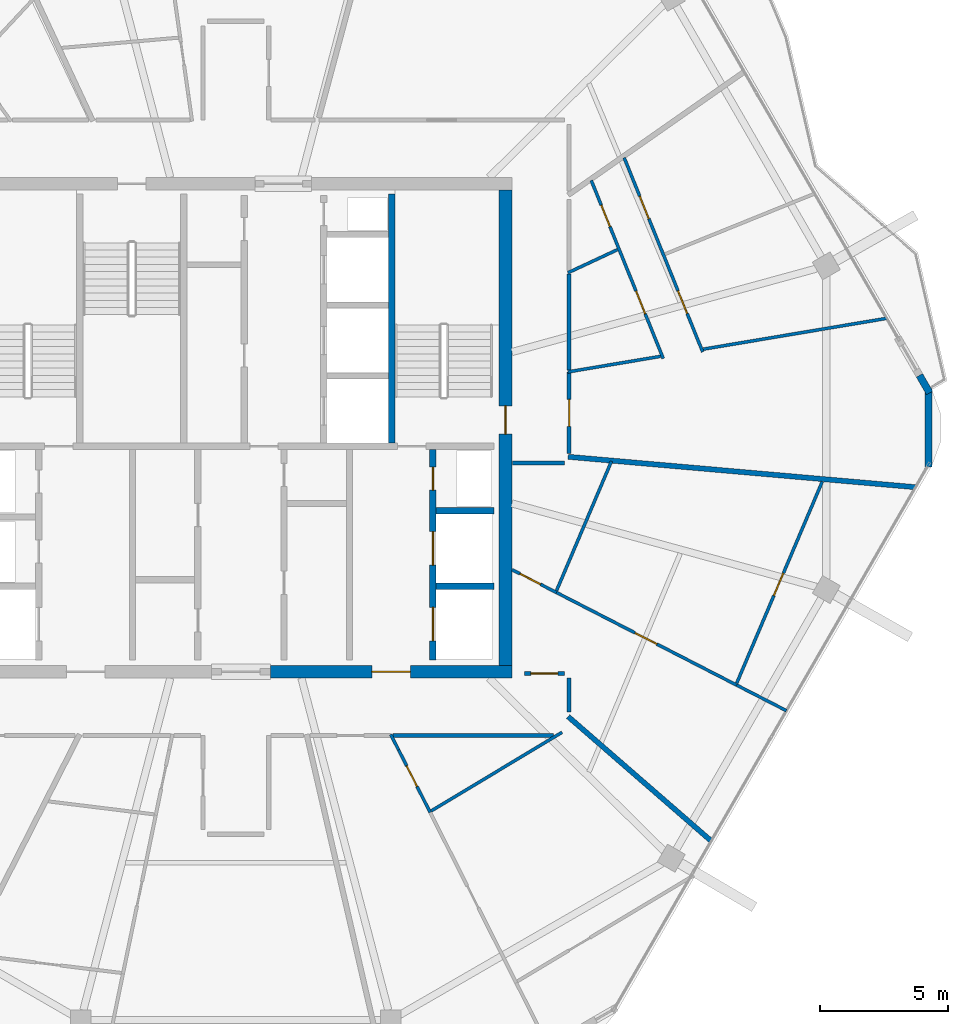
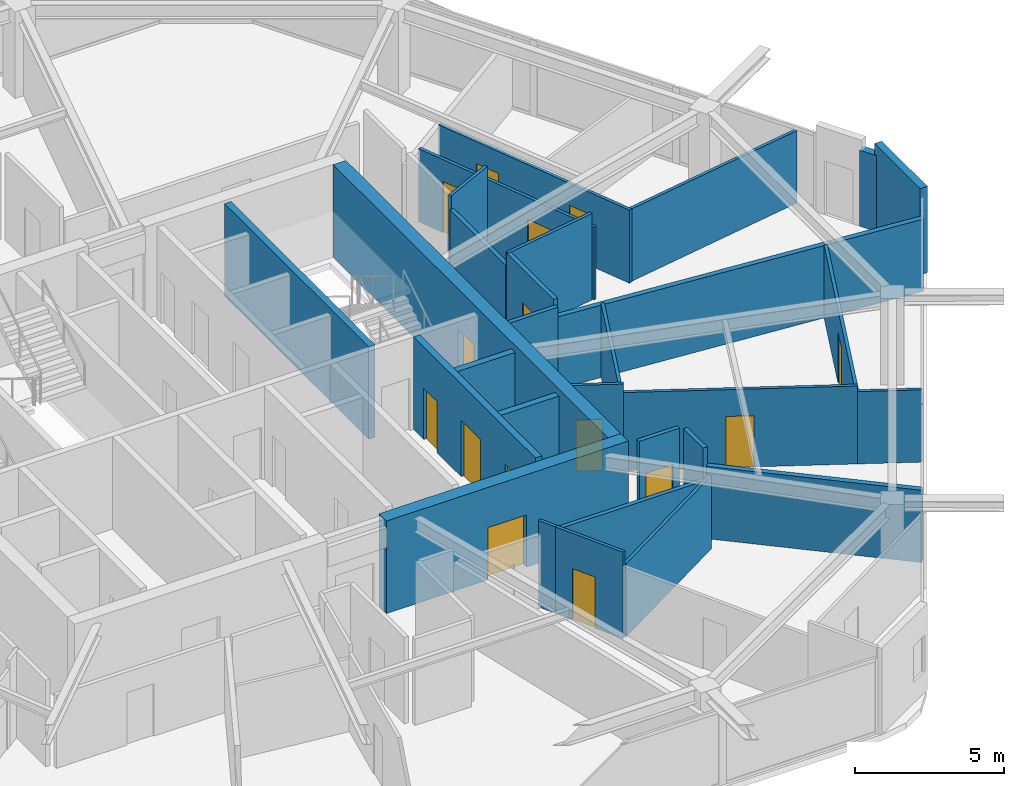
# One storey, part 16 of 21: 29 walls, 15 doors, 15 openings.
"""IFC4 building model written with IfcOpenShell, lengths in metres."""

from ifc_helpers import new_model, si_unit, direction, frame, frame_2d, origin, place, context, subcontext, project, spatial, rectangle, extrude, material, layer, layer_set, type_object, element, fill, save


model = new_model("IFC4")

# Units and contexts
model_context = context("Model", 3, precision=1e-05, world=origin(), true_north=direction((0.0, 1.0)))
body_context = subcontext(model_context, "Body", "Model", "MODEL_VIEW")
ifc_project = project(units=[si_unit("LENGTHUNIT", "METRE"), si_unit("AREAUNIT", "SQUARE_METRE"), si_unit("VOLUMEUNIT", "CUBIC_METRE"), si_unit("PLANEANGLEUNIT", "RADIAN"), si_unit("MASSUNIT", "GRAM", prefix="KILO")], contexts=[model_context])

# Site, building, storey
site_placement = place(None, origin())
site = spatial("IfcSite", under=ifc_project, at=site_placement, CompositionType="ELEMENT")
building_placement = place(site_placement, origin())
building = spatial("IfcBuilding", under=site, at=building_placement, Name="Zuhravey Tower", CompositionType="ELEMENT")
storey_placement = place(building_placement, frame((0.0, 0.0, 319.60009765625)))
storey = spatial("IfcBuildingStorey", under=building, at=storey_placement, Name="L81", CompositionType="ELEMENT", Elevation=319.60009765625)

# Wall, opening, door
ifc_material_1 = material(Name="Concrete C50/60", Category="concrete")
ifc_layer_1 = layer(ifc_material_1, 0.5)
ifc_layer_set_1 = layer_set([ifc_layer_1], Name="Concrete C50/60")
wall_type_1 = type_object("IfcWallType", Name="Core Shear Wall 500", PredefinedType="SHEAR", material=ifc_layer_set_1)
wall_1_placement = place(storey_placement, frame((37.35009765625, 22.5, 0.0), z_axis=(0.0, 0.0, 1.0), x_axis=(1.0, 0.0, 0.0)))
wall_1 = element("IfcWall", 1, at=wall_1_placement, inside=storey, type_object=wall_type_1, Name="L81 South-East Core Shear Wall CW50", PredefinedType="SHEAR", context=body_context, shape_type="SweptSolid", body=[
    extrude(rectangle(XDim=9.39990234375, YDim=0.5, at=frame_2d((4.699951171875, 0.0))), origin(), (0.0, 0.0, 1.0), 3.7998046875),
])
opening_1_placement = place(wall_1_placement, frame((3.949951171875, 0.0, 0.0)))
opening_1 = element("IfcOpeningElement", 2, at=opening_1_placement, cuts=wall_1, Name="Opening FFD1", PredefinedType="OPENING", context=body_context, shape_type="SweptSolid", body=[
    extrude(rectangle(XDim=1.5, YDim=2.14990234375, at=frame_2d((0.75, 1.074951171875))), frame((0.0, 0.261962890625, 0.0), z_axis=(0.0, -1.0, 0.0), x_axis=(1.0, 0.0, 0.0)), (0.0, 0.0, 1.0), 0.52392578125),
])
ifc_material_2 = material(Name="Galvanised fire-rated steel leaf", Category="steel")
door_type_1 = type_object("IfcDoorType", Name="Firefighting Lobby Double Door 1500x2150", OperationType="DOUBLE_DOOR_SINGLE_SWING", PredefinedType="DOOR", material=ifc_material_2)
door_1_placement = place(opening_1_placement, origin())
door_1 = element("IfcDoor", 3, at=door_1_placement, inside=storey, type_object=door_type_1, Name="L81 Firefighting Lobby East Door", OperationType="DOUBLE_DOOR_SINGLE_SWING", OverallHeight=2.14990234375, OverallWidth=1.5, PredefinedType="DOOR", context=body_context, shape_type="SweptSolid", body=[
    extrude(rectangle(XDim=1.5, YDim=2.14990234375, at=frame_2d((0.75, 1.074951171875))), frame((0.0, 0.02490234375, 0.0), z_axis=(0.0, -1.0, 0.0), x_axis=(1.0, 0.0, 0.0)), (0.0, 0.0, 1.0), 0.050048828125),
])
fill(opening_1, door_1)

wall_2_placement = place(storey_placement, frame((46.5, 22.75, 0.0), z_axis=(0.0, 0.0, 1.0), x_axis=(0.0, 1.0, 0.0)))
wall_2 = element("IfcWall", 4, at=wall_2_placement, inside=storey, type_object=wall_type_1, Name="L81 East Core Shear Wall CW50", PredefinedType="SHEAR", context=body_context, shape_type="SweptSolid", body=[
    extrude(rectangle(XDim=18.5, YDim=0.5, at=frame_2d((9.25, 0.0))), origin(), (0.0, 0.0, 1.0), 3.7998046875),
])
opening_2_placement = place(wall_2_placement, frame((9.0, 0.0, 0.0)))
opening_2 = element("IfcOpeningElement", 5, at=opening_2_placement, cuts=wall_2, Name="Opening STD1", PredefinedType="OPENING", context=body_context, shape_type="SweptSolid", body=[
    extrude(rectangle(XDim=1.10009765625, YDim=2.14990234375, at=frame_2d((0.550048828125, 1.074951171875))), frame((0.0, 0.261962890625, 0.0), z_axis=(0.0, -1.0, 0.0), x_axis=(1.0, 0.0, 0.0)), (0.0, 0.0, 1.0), 0.52392578125),
])
door_type_2 = type_object("IfcDoorType", Name="Protected Stair Fire Door 1100x2150", OperationType="NOTDEFINED", PredefinedType="USERDEFINED", material=ifc_material_2)
door_2_placement = place(opening_2_placement, origin())
door_2 = element("IfcDoor", 6, at=door_2_placement, inside=storey, type_object=door_type_2, Name="L81 Stair ST2 Door", ObjectType="EXITDOOR", OperationType="SINGLE_SWING_RIGHT", OverallHeight=2.14990234375, OverallWidth=1.10009765625, PredefinedType="USERDEFINED", context=body_context, shape_type="SweptSolid", body=[
    extrude(rectangle(XDim=1.10009765625, YDim=2.14990234375, at=frame_2d((0.550048828125, 1.074951171875))), frame((0.0, 0.02490234375, 0.0), z_axis=(0.0, -1.0, 0.0), x_axis=(1.0, 0.0, 0.0)), (0.0, 0.0, 1.0), 0.050048828125),
])
fill(opening_2, door_2)

ifc_material_3 = material(Name="Gypsum fire-rated stud partition")
ifc_layer_2 = layer(ifc_material_3, 0.159912109375)
ifc_layer_set_2 = layer_set([ifc_layer_2], Name="Gypsum fire-rated stud partition")
wall_type_2 = type_object("IfcWallType", Name="Corridor Fire Partition 160", PredefinedType="PARTITIONING", material=ifc_layer_set_2)
wall_3_placement = place(storey_placement, frame((48.800048828125, 22.429931640625, 0.0), z_axis=(0.0, 0.0, 1.0), x_axis=(-1.0, 0.0, 0.0)))
wall_3 = element("IfcWall", 7, at=wall_3_placement, inside=storey, type_object=wall_type_2, Name="L81 IW16 Partition 047", PredefinedType="PARTITIONING", context=body_context, shape_type="SweptSolid", body=[
    extrude(rectangle(XDim=1.564208984375, YDim=0.159912109375, at=frame_2d((0.7822265625, 0.0))), origin(), (0.0, 0.0, 1.0), 3.5498046875),
])
opening_3_placement = place(wall_3_placement, frame((0.257080078125, 0.0, 0.0)))
opening_3 = element("IfcOpeningElement", 8, at=opening_3_placement, cuts=wall_3, Name="Opening APD1", PredefinedType="OPENING", context=body_context, shape_type="SweptSolid", body=[
    extrude(rectangle(XDim=1.050048828125, YDim=2.14990234375, at=frame_2d((0.52490234375, 1.074951171875))), frame((0.0, 0.092041015625, 0.0), z_axis=(0.0, -1.0, 0.0), x_axis=(1.0, 0.0, 0.0)), (0.0, 0.0, 1.0), 0.183837890625),
])
ifc_material_4 = material(Name="Solid-core oak fire-rated leaf")
door_type_3 = type_object("IfcDoorType", Name="Apartment Entrance Fire Door 1050x2150", OperationType="NOTDEFINED", PredefinedType="DOOR", material=ifc_material_4)
door_3_placement = place(opening_3_placement, origin())
door_3 = element("IfcDoor", 9, at=door_3_placement, inside=storey, type_object=door_type_3, Name="L81 Door 047.1", OperationType="SINGLE_SWING_RIGHT", OverallHeight=2.14990234375, OverallWidth=1.050048828125, PredefinedType="DOOR", context=body_context, shape_type="SweptSolid", body=[
    extrude(rectangle(XDim=1.050048828125, YDim=2.14990234375, at=frame_2d((0.52490234375, 1.074951171875))), frame((0.0, 0.02490234375, 0.0), z_axis=(0.0, -1.0, 0.0), x_axis=(1.0, 0.0, 0.0)), (0.0, 0.0, 1.0), 0.050048828125),
])
fill(opening_3, door_3)

wall_4_placement = place(storey_placement, frame((48.97998046875, 30.99853515625, 0.0), z_axis=(0.0, 0.0, 1.0), x_axis=(0.0, 1.0, 0.0)))
wall_4 = element("IfcWall", 10, at=wall_4_placement, inside=storey, type_object=wall_type_2, Name="L81 IW16 Partition 050", PredefinedType="PARTITIONING", context=body_context, shape_type="SweptSolid", body=[
    extrude(rectangle(XDim=3.16259765625, YDim=0.159912109375, at=frame_2d((1.581298828125, 0.0))), origin(), (0.0, 0.0, 1.0), 3.5498046875),
])
opening_4_placement = place(wall_4_placement, frame((1.056396484375, 0.0, 0.0)))
opening_4 = element("IfcOpeningElement", 11, at=opening_4_placement, cuts=wall_4, Name="Opening APD1", PredefinedType="OPENING", context=body_context, shape_type="SweptSolid", body=[
    extrude(rectangle(XDim=1.050048828125, YDim=2.14990234375, at=frame_2d((0.52490234375, 1.074951171875))), frame((0.0, 0.092041015625, 0.0), z_axis=(0.0, -1.0, 0.0), x_axis=(1.0, 0.0, 0.0)), (0.0, 0.0, 1.0), 0.183837890625),
])
door_4_placement = place(opening_4_placement, frame((1.050048828125, 0.0, 0.0), z_axis=(0.0, 0.0, 1.0), x_axis=(-1.0, 0.0, 0.0)))
door_4 = element("IfcDoor", 12, at=door_4_placement, inside=storey, type_object=door_type_3, Name="L81 Door 050.1", OperationType="SINGLE_SWING_LEFT", OverallHeight=2.14990234375, OverallWidth=1.050048828125, PredefinedType="DOOR", context=body_context, shape_type="SweptSolid", body=[
    extrude(rectangle(XDim=1.050048828125, YDim=2.14990234375, at=frame_2d((0.52490234375, 1.074951171875))), frame((0.0, 0.02490234375, 0.0), z_axis=(0.0, -1.0, 0.0), x_axis=(1.0, 0.0, 0.0)), (0.0, 0.0, 1.0), 0.050048828125),
])
fill(opening_4, door_4)

# Walls
wall_5_placement = place(storey_placement, frame((42.127685546875, 20.02001953125, 0.0), z_axis=(0.0, 0.0, 1.0), x_axis=(1.0, 0.0, 0.0)))
element("IfcWall", 13, at=wall_5_placement, inside=storey, type_object=wall_type_2, Name="L81 IW16 Partition 106", PredefinedType="PARTITIONING", context=body_context, shape_type="SweptSolid", body=[
    extrude(rectangle(XDim=6.244140625, YDim=0.159912109375, at=frame_2d((3.1220703125, 0.0))), origin(), (0.0, 0.0, 1.0), 3.0),
])
wall_6_placement = place(storey_placement, frame((48.97998046875, 20.940185546875, 0.0), z_axis=(0.0, 0.0, 1.0), x_axis=(0.0, 1.0, 0.0)))
element("IfcWall", 14, at=wall_6_placement, inside=storey, type_object=wall_type_2, Name="L81 IW16 Partition 107", PredefinedType="PARTITIONING", context=body_context, shape_type="SweptSolid", body=[
    extrude(rectangle(XDim=1.309814453125, YDim=0.159912109375, at=frame_2d((0.65478515625, 0.0))), origin(), (0.0, 0.0, 1.0), 3.5498046875),
])
wall_7_placement = place(storey_placement, frame((46.77001953125, 30.6201171875, 0.0), z_axis=(0.0, 0.0, 1.0), x_axis=(1.0, 0.0, 0.0)))
element("IfcWall", 15, at=wall_7_placement, inside=storey, type_object=wall_type_2, Name="L81 IW16 Partition 108", PredefinedType="PARTITIONING", context=body_context, shape_type="SweptSolid", body=[
    extrude(rectangle(XDim=2.030029296875, YDim=0.159912109375, at=frame_2d((1.01513671875, 0.0))), origin(), (0.0, 0.0, 1.0), 3.5498046875),
])
wall_8_placement = place(storey_placement, frame((48.97998046875, 34.25048828125, 0.0), z_axis=(0.0, 0.0, 1.0), x_axis=(0.0, 1.0, 0.0)))
element("IfcWall", 16, at=wall_8_placement, inside=storey, type_object=wall_type_2, Name="L81 IW16 Partition 109", PredefinedType="PARTITIONING", context=body_context, shape_type="SweptSolid", body=[
    extrude(rectangle(XDim=3.731201171875, YDim=0.159912109375, at=frame_2d((1.86572265625, 0.0))), origin(), (0.0, 0.0, 1.0), 3.0),
])
ifc_material_5 = material(Name="Precast concrete C40/50", Category="concrete")
ifc_layer_3 = layer(ifc_material_5, 0.280029296875)
ifc_layer_set_3 = layer_set([ifc_layer_3], Name="Precast concrete C40/50")
wall_type_3 = type_object("IfcWallType", Name="Crown Architectural Wall 280", PredefinedType="SOLIDWALL", material=ifc_layer_set_3)
wall_9_placement = place(storey_placement, frame((62.620849609375, 34.039306640625, 0.0), z_axis=(0.0, 0.0, 1.0), x_axis=(0.500061319399, -0.865989998118, 0.0)))
element("IfcWall", 17, at=wall_9_placement, inside=storey, type_object=wall_type_3, Name="L81 Face 1 Closure Pier EW28", PredefinedType="SOLIDWALL", context=body_context, shape_type="SweptSolid", body=[
    extrude(rectangle(XDim=0.7900390625, YDim=0.280029296875, at=frame_2d((0.39501953125, 0.0))), origin(), (0.0, 0.0, 1.0), 3.121826171875),
])
wall_10_placement = place(storey_placement, frame((62.968505859375, 33.532470703125, 0.0), z_axis=(0.0, 0.0, 1.0), x_axis=(0.0, -1.0, 0.0)))
element("IfcWall", 18, at=wall_10_placement, inside=storey, type_object=wall_type_3, Name="L81 Rounded Corner Closure Wall EW28-12", PredefinedType="SOLIDWALL", context=body_context, shape_type="SweptSolid", body=[
    extrude(rectangle(XDim=3.06494140625, YDim=0.280029296875, at=frame_2d((1.532470703125, 0.0))), origin(), (0.0, 0.0, 1.0), 3.5498046875),
])
ifc_layer_4 = layer(ifc_material_1, 0.25)
ifc_layer_set_4 = layer_set([ifc_layer_4], Name="Concrete C50/60")
wall_type_4 = type_object("IfcWallType", Name="Firefighting Shaft & Stair Wall 250", PredefinedType="SOLIDWALL", material=ifc_layer_set_4)
wall_11_placement = place(storey_placement, frame((42.074951171875, 31.39990234375, 0.0), z_axis=(0.0, 0.0, 1.0), x_axis=(0.0, 1.0, 0.0)))
element("IfcWall", 19, at=wall_11_placement, inside=storey, type_object=wall_type_4, Name="L81 FW25 Shaft Wall 006", PredefinedType="SOLIDWALL", context=body_context, shape_type="SweptSolid", body=[
    extrude(rectangle(XDim=9.7001953125, YDim=0.25, at=frame_2d((4.85009765625, 0.0))), origin(), (0.0, 0.0, 1.0), 3.7998046875),
])
for number, where, z_axis, x_axis, name in (
    (20, (43.800048828125, 25.824951171875, 0.0), (0.0, 0.0, 1.0), (1.0, 0.0, 0.0), "L81 FW25 Shaft Wall 018"),
    (21, (43.800048828125, 28.77490234375, 0.0), (0.0, 0.0, 1.0), (1.0, 0.0, 0.0), "L81 FW25 Shaft Wall 019"),
):
    element("IfcWall", number, at=place(storey_placement, frame(where, z_axis=z_axis, x_axis=x_axis)), inside=storey, type_object=wall_type_4, Name=name, PredefinedType="SOLIDWALL", context=body_context, shape_type="SweptSolid", body=[
        extrude(rectangle(XDim=2.25, YDim=0.25, at=frame_2d((1.125, 0.0))), origin(), (0.0, 0.0, 1.0), 3.7998046875),
    ])

# Wall, openings, doors
wall_12_placement = place(storey_placement, frame((43.675048828125, 22.949951171875, 0.0), z_axis=(0.0, 0.0, 1.0), x_axis=(0.0, 1.0, 0.0)))
wall_12 = element("IfcWall", 22, at=wall_12_placement, inside=storey, type_object=wall_type_4, Name="L81 FW25 Shaft Wall 020", PredefinedType="SOLIDWALL", context=body_context, shape_type="SweptSolid", body=[
    extrude(rectangle(XDim=8.199951171875, YDim=0.25, at=frame_2d((4.10009765625, 0.0))), origin(), (0.0, 0.0, 1.0), 3.7998046875),
])
opening_5_placement = place(wall_12_placement, frame((0.75, 0.0, 0.0)))
opening_5 = element("IfcOpeningElement", 23, at=opening_5_placement, cuts=wall_12, Name="Opening LD2", PredefinedType="OPENING", context=body_context, shape_type="SweptSolid", body=[
    extrude(rectangle(XDim=1.300048828125, YDim=2.300048828125, at=frame_2d((0.64990234375, 1.14990234375))), frame((0.0, 0.136962890625, 0.0), z_axis=(0.0, -1.0, 0.0), x_axis=(1.0, 0.0, 0.0)), (0.0, 0.0, 1.0), 0.27392578125),
])
opening_6_placement = place(wall_12_placement, frame((3.699951171875, 0.0, 0.0)))
opening_6 = element("IfcOpeningElement", 24, at=opening_6_placement, cuts=wall_12, Name="Opening LD2", PredefinedType="OPENING", context=body_context, shape_type="SweptSolid", body=[
    extrude(rectangle(XDim=1.300048828125, YDim=2.300048828125, at=frame_2d((0.64990234375, 1.14990234375))), frame((0.0, 0.136962890625, 0.0), z_axis=(0.0, -1.0, 0.0), x_axis=(1.0, 0.0, 0.0)), (0.0, 0.0, 1.0), 0.27392578125),
])
opening_7_placement = place(wall_12_placement, frame((6.6201171875, 0.0, 0.0)))
opening_7 = element("IfcOpeningElement", 25, at=opening_7_placement, cuts=wall_12, Name="Opening RSD1", PredefinedType="OPENING", context=body_context, shape_type="SweptSolid", body=[
    extrude(rectangle(XDim=0.89990234375, YDim=2.10009765625, at=frame_2d((0.449951171875, 1.050048828125))), frame((0.0, 0.136962890625, 0.0), z_axis=(0.0, -1.0, 0.0), x_axis=(1.0, 0.0, 0.0)), (0.0, 0.0, 1.0), 0.27392578125),
])
ifc_material_6 = material(Name="Brushed stainless steel", Category="steel")
door_type_4 = type_object("IfcDoorType", Name="Freight & Stretcher Lift Sliding Door 1300x2300", OperationType="DOUBLE_DOOR_SLIDING", PredefinedType="DOOR", material=ifc_material_6)
door_5_placement = place(opening_5_placement, origin())
door_5 = element("IfcDoor", 26, at=door_5_placement, inside=storey, type_object=door_type_4, Name="L81 Lift FF2 Landing Door", OperationType="DOUBLE_DOOR_SLIDING", OverallHeight=2.300048828125, OverallWidth=1.300048828125, PredefinedType="DOOR", context=body_context, shape_type="SweptSolid", body=[
    extrude(rectangle(XDim=1.300048828125, YDim=2.300048828125, at=frame_2d((0.64990234375, 1.14990234375))), frame((0.0, 0.02490234375, 0.0), z_axis=(0.0, -1.0, 0.0), x_axis=(1.0, 0.0, 0.0)), (0.0, 0.0, 1.0), 0.050048828125),
])
fill(opening_5, door_5)
door_6_placement = place(opening_6_placement, origin())
door_6 = element("IfcDoor", 27, at=door_6_placement, inside=storey, type_object=door_type_4, Name="L81 Lift SV1 Landing Door", OperationType="DOUBLE_DOOR_SLIDING", OverallHeight=2.300048828125, OverallWidth=1.300048828125, PredefinedType="DOOR", context=body_context, shape_type="SweptSolid", body=[
    extrude(rectangle(XDim=1.300048828125, YDim=2.300048828125, at=frame_2d((0.64990234375, 1.14990234375))), frame((0.0, 0.02490234375, 0.0), z_axis=(0.0, -1.0, 0.0), x_axis=(1.0, 0.0, 0.0)), (0.0, 0.0, 1.0), 0.050048828125),
])
fill(opening_6, door_6)
ifc_material_7 = material(Name="Galvanised fire-rated steel access leaf", Category="steel")
door_type_5 = type_object("IfcDoorType", Name="Riser & Shaft Access Fire Door 900x2100", OperationType="NOTDEFINED", PredefinedType="DOOR", material=ifc_material_7)
door_7_placement = place(opening_7_placement, origin())
door_7 = element("IfcDoor", 28, at=door_7_placement, inside=storey, type_object=door_type_5, Name="L81 Plumbing Riser Door", OperationType="SINGLE_SWING_RIGHT", OverallHeight=2.10009765625, OverallWidth=0.89990234375, PredefinedType="DOOR", context=body_context, shape_type="SweptSolid", body=[
    extrude(rectangle(XDim=0.89990234375, YDim=2.10009765625, at=frame_2d((0.449951171875, 1.050048828125))), frame((0.0, 0.02490234375, 0.0), z_axis=(0.0, -1.0, 0.0), x_axis=(1.0, 0.0, 0.0)), (0.0, 0.0, 1.0), 0.050048828125),
])
fill(opening_7, door_7)

# Walls
ifc_material_8 = material(Name="Gypsum double-stud party assembly")
ifc_layer_5 = layer(ifc_material_8, 0.199951171875)
ifc_layer_set_5 = layer_set([ifc_layer_5], Name="Gypsum double-stud party assembly")
wall_type_5 = type_object("IfcWallType", Name="Inter-Tenancy Party Wall 200", PredefinedType="PARTITIONING", material=ifc_layer_set_5)
wall_13_placement = place(storey_placement, frame((48.93994140625, 20.75146484375, 0.0), z_axis=(0.0, 0.0, 1.0), x_axis=(0.754714491072, -0.656053379662, 0.0)))
element("IfcWall", 29, at=wall_13_placement, inside=storey, type_object=wall_type_5, Name="L81 IW20 Partition 079", PredefinedType="PARTITIONING", context=body_context, shape_type="SweptSolid", body=[
    extrude(rectangle(XDim=7.379150390625, YDim=0.199951171875, at=frame_2d((3.689453125, 0.0))), origin(), (0.0, 0.0, 1.0), 2.969970703125),
])
wall_14_placement = place(storey_placement, frame((48.93994140625, 30.867919921875, 0.0), z_axis=(0.0, 0.0, 1.0), x_axis=(0.996194010343, -0.087163603397, 0.0)))
element("IfcWall", 30, at=wall_14_placement, inside=storey, type_object=wall_type_5, Name="L81 IW20 Partition 082", PredefinedType="PARTITIONING", context=body_context, shape_type="SweptSolid", body=[
    extrude(rectangle(XDim=13.573486328125, YDim=0.199951171875, at=frame_2d((6.78662109375, 0.0))), origin(), (0.0, 0.0, 1.0), 2.969970703125),
])

# Wall, opening, door
ifc_material_9 = material(Name="Gypsum metal-stud partition")
ifc_layer_6 = layer(ifc_material_9, 0.1201171875)
ifc_layer_set_6 = layer_set([ifc_layer_6], Name="Gypsum metal-stud partition")
wall_type_6 = type_object("IfcWallType", Name="Unit Internal Partition 120", PredefinedType="PARTITIONING", material=ifc_layer_set_6)
wall_15_placement = place(storey_placement, frame((42.339599609375, 19.449951171875, 0.0), z_axis=(0.0, 0.0, 1.0), x_axis=(0.45083817538, -0.892605702211, 0.0)))
wall_15 = element("IfcWall", 31, at=wall_15_placement, inside=storey, type_object=wall_type_6, Name="L81 IW12 Partition 040", PredefinedType="PARTITIONING", context=body_context, shape_type="SweptSolid", body=[
    extrude(rectangle(XDim=2.718505859375, YDim=0.1201171875, at=frame_2d((1.359375, 0.0))), origin(), (0.0, 0.0, 1.0), 3.5498046875),
])
opening_8_placement = place(wall_15_placement, frame((0.69189453125, 0.0, 0.0)))
opening_8 = element("IfcOpeningElement", 32, at=opening_8_placement, cuts=wall_15, Name="Opening WCD1", PredefinedType="OPENING", context=body_context, shape_type="SweptSolid", body=[
    extrude(rectangle(XDim=0.89990234375, YDim=2.10009765625, at=frame_2d((0.449951171875, 1.050048828125))), frame((0.0, 0.072021484375, 0.0), z_axis=(0.0, -1.0, 0.0), x_axis=(1.0, 0.0, 0.0)), (0.0, 0.0, 1.0), 0.14404296875),
])
ifc_material_10 = material(Name="Moisture-resistant timber leaf", Category="wood")
door_type_6 = type_object("IfcDoorType", Name="Bathroom & WC Internal Door 900x2100", OperationType="NOTDEFINED", PredefinedType="DOOR", material=ifc_material_10)
door_8_placement = place(opening_8_placement, origin())
door_8 = element("IfcDoor", 33, at=door_8_placement, inside=storey, type_object=door_type_6, Name="Apartment L81-05 Bathroom Door", OperationType="SINGLE_SWING_LEFT", OverallHeight=2.10009765625, OverallWidth=0.89990234375, PredefinedType="DOOR", context=body_context, shape_type="SweptSolid", body=[
    extrude(rectangle(XDim=0.89990234375, YDim=2.10009765625, at=frame_2d((0.449951171875, 1.050048828125))), frame((0.0, 0.02490234375, 0.0), z_axis=(0.0, -1.0, 0.0), x_axis=(1.0, 0.0, 0.0)), (0.0, 0.0, 1.0), 0.050048828125),
])
fill(opening_8, door_8)

wall_16_placement = place(storey_placement, frame((46.758056640625, 26.47119140625, 0.0), z_axis=(0.0, 0.0, 1.0), x_axis=(0.889392970677, -0.457143460755, 0.0)))
wall_16 = element("IfcWall", 34, at=wall_16_placement, inside=storey, type_object=wall_type_6, Name="L81 IW12 Partition 044", PredefinedType="PARTITIONING", context=body_context, shape_type="SweptSolid", body=[
    extrude(rectangle(XDim=1.94189453125, YDim=0.1201171875, at=frame_2d((0.970947265625, 0.0))), origin(), (0.0, 0.0, 1.0), 3.5498046875),
])
opening_9_placement = place(wall_16_placement, frame((0.343994140625, 0.0, 0.0)))
opening_9 = element("IfcOpeningElement", 35, at=opening_9_placement, cuts=wall_16, Name="Opening WCD1", PredefinedType="OPENING", context=body_context, shape_type="SweptSolid", body=[
    extrude(rectangle(XDim=0.89990234375, YDim=2.10009765625, at=frame_2d((0.449951171875, 1.050048828125))), frame((0.0, 0.072021484375, 0.0), z_axis=(0.0, -1.0, 0.0), x_axis=(1.0, 0.0, 0.0)), (0.0, 0.0, 1.0), 0.14404296875),
])
door_9_placement = place(opening_9_placement, origin())
door_9 = element("IfcDoor", 36, at=door_9_placement, inside=storey, type_object=door_type_6, Name="Apartment L81-06 Bathroom Door", OperationType="SINGLE_SWING_LEFT", OverallHeight=2.10009765625, OverallWidth=0.89990234375, PredefinedType="DOOR", context=body_context, shape_type="SweptSolid", body=[
    extrude(rectangle(XDim=0.89990234375, YDim=2.10009765625, at=frame_2d((0.449951171875, 1.050048828125))), frame((0.0, 0.02490234375, 0.0), z_axis=(0.0, -1.0, 0.0), x_axis=(1.0, 0.0, 0.0)), (0.0, 0.0, 1.0), 0.050048828125),
])
fill(opening_9, door_9)

wall_17_placement = place(storey_placement, frame((48.485107421875, 25.58349609375, 0.0), z_axis=(0.0, 0.0, 1.0), x_axis=(0.889425539597, -0.457080090917, 0.0)))
wall_17 = element("IfcWall", 37, at=wall_17_placement, inside=storey, type_object=wall_type_6, Name="L81 IW12 Partition 045", PredefinedType="PARTITIONING", context=body_context, shape_type="SweptSolid", body=[
    extrude(rectangle(XDim=7.886474609375, YDim=0.1201171875, at=frame_2d((3.943359375, 0.0))), origin(), (0.0, 0.0, 1.0), 3.199951171875),
])
opening_10_placement = place(wall_17_placement, frame((3.443115234375, 0.0, 0.0)))
opening_10 = element("IfcOpeningElement", 38, at=opening_10_placement, cuts=wall_17, Name="Opening IND1", PredefinedType="OPENING", context=body_context, shape_type="SweptSolid", body=[
    extrude(rectangle(XDim=0.949951171875, YDim=2.10009765625, at=frame_2d((0.47509765625, 1.050048828125))), frame((0.0, 0.072021484375, 0.0), z_axis=(0.0, -1.0, 0.0), x_axis=(1.0, 0.0, 0.0)), (0.0, 0.0, 1.0), 0.14404296875),
])
ifc_material_11 = material(Name="Painted engineered timber leaf", Category="wood")
door_type_7 = type_object("IfcDoorType", Name="Internal Room & Bedroom Door 950x2100", OperationType="NOTDEFINED", PredefinedType="DOOR", material=ifc_material_11)
door_10_placement = place(opening_10_placement, origin())
door_10 = element("IfcDoor", 39, at=door_10_placement, inside=storey, type_object=door_type_7, Name="Apartment L81-06 Home Office Door", OperationType="SINGLE_SWING_RIGHT", OverallHeight=2.10009765625, OverallWidth=0.949951171875, PredefinedType="DOOR", context=body_context, shape_type="SweptSolid", body=[
    extrude(rectangle(XDim=0.949951171875, YDim=2.10009765625, at=frame_2d((0.47509765625, 1.050048828125))), frame((0.0, 0.02490234375, 0.0), z_axis=(0.0, -1.0, 0.0), x_axis=(1.0, 0.0, 0.0)), (0.0, 0.0, 1.0), 0.050048828125),
])
fill(opening_10, door_10)

wall_18_placement = place(storey_placement, frame((55.50390625, 22.052978515625, 0.0), z_axis=(0.0, 0.0, 1.0), x_axis=(0.390730730801, 0.920505022261, 0.0)))
wall_18 = element("IfcWall", 40, at=wall_18_placement, inside=storey, type_object=wall_type_6, Name="L81 IW12 Partition 046", PredefinedType="PARTITIONING", context=body_context, shape_type="SweptSolid", body=[
    extrude(rectangle(XDim=8.5263671875, YDim=0.1201171875, at=frame_2d((4.26318359375, 0.0))), origin(), (0.0, 0.0, 1.0), 3.0),
])
opening_11_placement = place(wall_18_placement, frame((3.7041015625, 0.0, 0.0)))
opening_11 = element("IfcOpeningElement", 41, at=opening_11_placement, cuts=wall_18, Name="Opening IND1", PredefinedType="OPENING", context=body_context, shape_type="SweptSolid", body=[
    extrude(rectangle(XDim=0.949951171875, YDim=2.10009765625, at=frame_2d((0.47509765625, 1.050048828125))), frame((0.0, 0.072021484375, 0.0), z_axis=(0.0, -1.0, 0.0), x_axis=(1.0, 0.0, 0.0)), (0.0, 0.0, 1.0), 0.14404296875),
])
door_11_placement = place(opening_11_placement, frame((0.949951171875, 0.0, 0.0), z_axis=(0.0, 0.0, 1.0), x_axis=(-1.0, 0.0, 0.0)))
door_11 = element("IfcDoor", 42, at=door_11_placement, inside=storey, type_object=door_type_7, Name="Apartment L81-06 Bedroom 1 Door", OperationType="SINGLE_SWING_LEFT", OverallHeight=2.10009765625, OverallWidth=0.949951171875, PredefinedType="DOOR", context=body_context, shape_type="SweptSolid", body=[
    extrude(rectangle(XDim=0.949951171875, YDim=2.10009765625, at=frame_2d((0.47509765625, 1.050048828125))), frame((0.0, 0.02490234375, 0.0), z_axis=(0.0, -1.0, 0.0), x_axis=(1.0, 0.0, 0.0)), (0.0, 0.0, 1.0), 0.050048828125),
])
fill(opening_11, door_11)

# Wall, openings, doors
wall_19_placement = place(storey_placement, frame((52.644287109375, 34.69580078125, 0.0), z_axis=(0.0, 0.0, 1.0), x_axis=(-0.374926411414, 0.927054575537, 0.0)))
wall_19 = element("IfcWall", 43, at=wall_19_placement, inside=storey, type_object=wall_type_6, Name="L81 IW12 Partition 048", PredefinedType="PARTITIONING", context=body_context, shape_type="SweptSolid", body=[
    extrude(rectangle(XDim=7.482666015625, YDim=0.1201171875, at=frame_2d((3.7412109375, 0.0))), origin(), (0.0, 0.0, 1.0), 3.0),
])
opening_12_placement = place(wall_19_placement, frame((1.876953125, 0.0, 0.0)))
opening_12 = element("IfcOpeningElement", 44, at=opening_12_placement, cuts=wall_19, Name="Opening IND1", PredefinedType="OPENING", context=body_context, shape_type="SweptSolid", body=[
    extrude(rectangle(XDim=0.949951171875, YDim=2.10009765625, at=frame_2d((0.47509765625, 1.050048828125))), frame((0.0, 0.072021484375, 0.0), z_axis=(0.0, -1.0, 0.0), x_axis=(1.0, 0.0, 0.0)), (0.0, 0.0, 1.0), 0.14404296875),
])
opening_13_placement = place(wall_19_placement, frame((5.540771484375, 0.0, 0.0)))
opening_13 = element("IfcOpeningElement", 45, at=opening_13_placement, cuts=wall_19, Name="Opening WCD1", PredefinedType="OPENING", context=body_context, shape_type="SweptSolid", body=[
    extrude(rectangle(XDim=0.89990234375, YDim=2.10009765625, at=frame_2d((0.449951171875, 1.050048828125))), frame((0.0, 0.072021484375, 0.0), z_axis=(0.0, -1.0, 0.0), x_axis=(1.0, 0.0, 0.0)), (0.0, 0.0, 1.0), 0.14404296875),
])
door_12_placement = place(opening_13_placement, origin())
door_12 = element("IfcDoor", 46, at=door_12_placement, inside=storey, type_object=door_type_6, Name="Apartment L81-07 Bathroom Door", OperationType="SINGLE_SWING_RIGHT", OverallHeight=2.10009765625, OverallWidth=0.89990234375, PredefinedType="DOOR", context=body_context, shape_type="SweptSolid", body=[
    extrude(rectangle(XDim=0.89990234375, YDim=2.10009765625, at=frame_2d((0.449951171875, 1.050048828125))), frame((0.0, 0.02490234375, 0.0), z_axis=(0.0, -1.0, 0.0), x_axis=(1.0, 0.0, 0.0)), (0.0, 0.0, 1.0), 0.050048828125),
])
fill(opening_13, door_12)
door_13_placement = place(opening_12_placement, origin())
door_13 = element("IfcDoor", 47, at=door_13_placement, inside=storey, type_object=door_type_7, Name="Apartment L81-07 Kitchen Door", OperationType="SINGLE_SWING_LEFT", OverallHeight=2.10009765625, OverallWidth=0.949951171875, PredefinedType="DOOR", context=body_context, shape_type="SweptSolid", body=[
    extrude(rectangle(XDim=0.949951171875, YDim=2.10009765625, at=frame_2d((0.47509765625, 1.050048828125))), frame((0.0, 0.02490234375, 0.0), z_axis=(0.0, -1.0, 0.0), x_axis=(1.0, 0.0, 0.0)), (0.0, 0.0, 1.0), 0.050048828125),
])
fill(opening_12, door_13)

wall_20_placement = place(storey_placement, frame((54.179443359375, 34.953857421875, 0.0), z_axis=(0.0, 0.0, 1.0), x_axis=(-0.374928779354, 0.927053617873, 0.0)))
wall_20 = element("IfcWall", 48, at=wall_20_placement, inside=storey, type_object=wall_type_6, Name="L81 IW12 Partition 049", PredefinedType="PARTITIONING", context=body_context, shape_type="SweptSolid", body=[
    extrude(rectangle(XDim=8.1552734375, YDim=0.1201171875, at=frame_2d((4.07763671875, 0.0))), origin(), (0.0, 0.0, 1.0), 3.0),
])
opening_14_placement = place(wall_20_placement, frame((1.614013671875, 0.0, 0.0)))
opening_14 = element("IfcOpeningElement", 49, at=opening_14_placement, cuts=wall_20, Name="Opening IND1", PredefinedType="OPENING", context=body_context, shape_type="SweptSolid", body=[
    extrude(rectangle(XDim=0.949951171875, YDim=2.10009765625, at=frame_2d((0.47509765625, 1.050048828125))), frame((0.0, 0.072021484375, 0.0), z_axis=(0.0, -1.0, 0.0), x_axis=(1.0, 0.0, 0.0)), (0.0, 0.0, 1.0), 0.14404296875),
])
opening_15_placement = place(wall_20_placement, frame((5.591552734375, 0.0, 0.0)))
opening_15 = element("IfcOpeningElement", 50, at=opening_15_placement, cuts=wall_20, Name="Opening IND1", PredefinedType="OPENING", context=body_context, shape_type="SweptSolid", body=[
    extrude(rectangle(XDim=0.949951171875, YDim=2.10009765625, at=frame_2d((0.47509765625, 1.050048828125))), frame((0.0, 0.072021484375, 0.0), z_axis=(0.0, -1.0, 0.0), x_axis=(1.0, 0.0, 0.0)), (0.0, 0.0, 1.0), 0.14404296875),
])
door_14_placement = place(opening_14_placement, frame((0.949951171875, 0.0, 0.0), z_axis=(0.0, 0.0, 1.0), x_axis=(-1.0, 0.0, 0.0)))
door_14 = element("IfcDoor", 51, at=door_14_placement, inside=storey, type_object=door_type_7, Name="Apartment L81-07 Bedroom 1 Door", OperationType="SINGLE_SWING_LEFT", OverallHeight=2.10009765625, OverallWidth=0.949951171875, PredefinedType="DOOR", context=body_context, shape_type="SweptSolid", body=[
    extrude(rectangle(XDim=0.949951171875, YDim=2.10009765625, at=frame_2d((0.47509765625, 1.050048828125))), frame((0.0, 0.02490234375, 0.0), z_axis=(0.0, -1.0, 0.0), x_axis=(1.0, 0.0, 0.0)), (0.0, 0.0, 1.0), 0.050048828125),
])
fill(opening_14, door_14)
door_15_placement = place(opening_15_placement, frame((0.949951171875, 0.0, 0.0), z_axis=(0.0, 0.0, 1.0), x_axis=(-1.0, 0.0, 0.0)))
door_15 = element("IfcDoor", 52, at=door_15_placement, inside=storey, type_object=door_type_7, Name="Apartment L81-07 Bedroom 2 Door", OperationType="SINGLE_SWING_RIGHT", OverallHeight=2.10009765625, OverallWidth=0.949951171875, PredefinedType="DOOR", context=body_context, shape_type="SweptSolid", body=[
    extrude(rectangle(XDim=0.949951171875, YDim=2.10009765625, at=frame_2d((0.47509765625, 1.050048828125))), frame((0.0, 0.02490234375, 0.0), z_axis=(0.0, -1.0, 0.0), x_axis=(1.0, 0.0, 0.0)), (0.0, 0.0, 1.0), 0.050048828125),
])
fill(opening_15, door_15)

# Walls
wall_21_placement = place(storey_placement, frame((42.0302734375, 20.062255859375, 0.0), z_axis=(0.0, 0.0, 1.0), x_axis=(0.450911009137, -0.892568911535, 0.0)))
element("IfcWall", 53, at=wall_21_placement, inside=storey, type_object=wall_type_6, Name="L81 IW12 Partition 076", PredefinedType="PARTITIONING", context=body_context, shape_type="SweptSolid", body=[
    extrude(rectangle(XDim=0.68603515625, YDim=0.1201171875, at=frame_2d((0.343017578125, 0.0))), origin(), (0.0, 0.0, 1.0), 3.5498046875),
])
wall_22_placement = place(storey_placement, frame((43.6123046875, 17.080810546875, 0.0), z_axis=(0.0, 0.0, 1.0), x_axis=(0.857173603687, 0.515027584837, 0.0)))
element("IfcWall", 54, at=wall_22_placement, inside=storey, type_object=wall_type_6, Name="L81 IW12 Partition 078", PredefinedType="PARTITIONING", context=body_context, shape_type="SweptSolid", body=[
    extrude(rectangle(XDim=5.939697265625, YDim=0.1201171875, at=frame_2d((2.9697265625, 0.0))), origin(), (0.0, 0.0, 1.0), 3.0),
])
wall_23_placement = place(storey_placement, frame((55.49951171875, 21.978759765625, 0.0), z_axis=(0.0, 0.0, 1.0), x_axis=(0.889363131607, -0.457201509335, 0.0)))
element("IfcWall", 55, at=wall_23_placement, inside=storey, type_object=wall_type_6, Name="L81 IW12 Partition 080", PredefinedType="PARTITIONING", context=body_context, shape_type="SweptSolid", body=[
    extrude(rectangle(XDim=2.18408203125, YDim=0.1201171875, at=frame_2d((1.092041015625, 0.0))), origin(), (0.0, 0.0, 1.0), 2.969970703125),
])
wall_24_placement = place(storey_placement, frame((48.489501953125, 25.65771484375, 0.0), z_axis=(0.0, 0.0, 1.0), x_axis=(0.390765351484, 0.920490325902, 0.0)))
element("IfcWall", 56, at=wall_24_placement, inside=storey, type_object=wall_type_6, Name="L81 IW12 Partition 081", PredefinedType="PARTITIONING", context=body_context, shape_type="SweptSolid", body=[
    extrude(rectangle(XDim=5.46923828125, YDim=0.1201171875, at=frame_2d((2.734619140625, 0.0))), origin(), (0.0, 0.0, 1.0), 3.0),
])
wall_25_placement = place(storey_placement, frame((48.929931640625, 38.033447265625, 0.0), z_axis=(0.0, 0.0, 1.0), x_axis=(0.906197801286, 0.422854046857, 0.0)))
element("IfcWall", 57, at=wall_25_placement, inside=storey, type_object=wall_type_6, Name="L81 IW12 Partition 083", PredefinedType="PARTITIONING", context=body_context, shape_type="SweptSolid", body=[
    extrude(rectangle(XDim=2.126953125, YDim=0.1201171875, at=frame_2d((1.0634765625, 0.0))), origin(), (0.0, 0.0, 1.0), 3.5498046875),
])
wall_26_placement = place(storey_placement, frame((48.930419921875, 34.173095703125, 0.0), z_axis=(0.0, 0.0, 1.0), x_axis=(0.986167473013, 0.165751968828, 0.0)))
element("IfcWall", 58, at=wall_26_placement, inside=storey, type_object=wall_type_6, Name="L81 IW12 Partition 085", PredefinedType="PARTITIONING", context=body_context, shape_type="SweptSolid", body=[
    extrude(rectangle(XDim=3.6572265625, YDim=0.1201171875, at=frame_2d((1.82861328125, 0.0))), origin(), (0.0, 0.0, 1.0), 3.5498046875),
])
wall_27_placement = place(storey_placement, frame((54.209716796875, 35.060302734375, 0.0), z_axis=(0.0, 0.0, 1.0), x_axis=(0.986169680344, 0.165738835432, 0.0)))
element("IfcWall", 59, at=wall_27_placement, inside=storey, type_object=wall_type_6, Name="L81 IW12 Partition 086", PredefinedType="PARTITIONING", context=body_context, shape_type="SweptSolid", body=[
    extrude(rectangle(XDim=7.238525390625, YDim=0.1201171875, at=frame_2d((3.619140625, 0.0))), origin(), (0.0, 0.0, 1.0), 2.969970703125),
])

save(model, "model.ifc")
